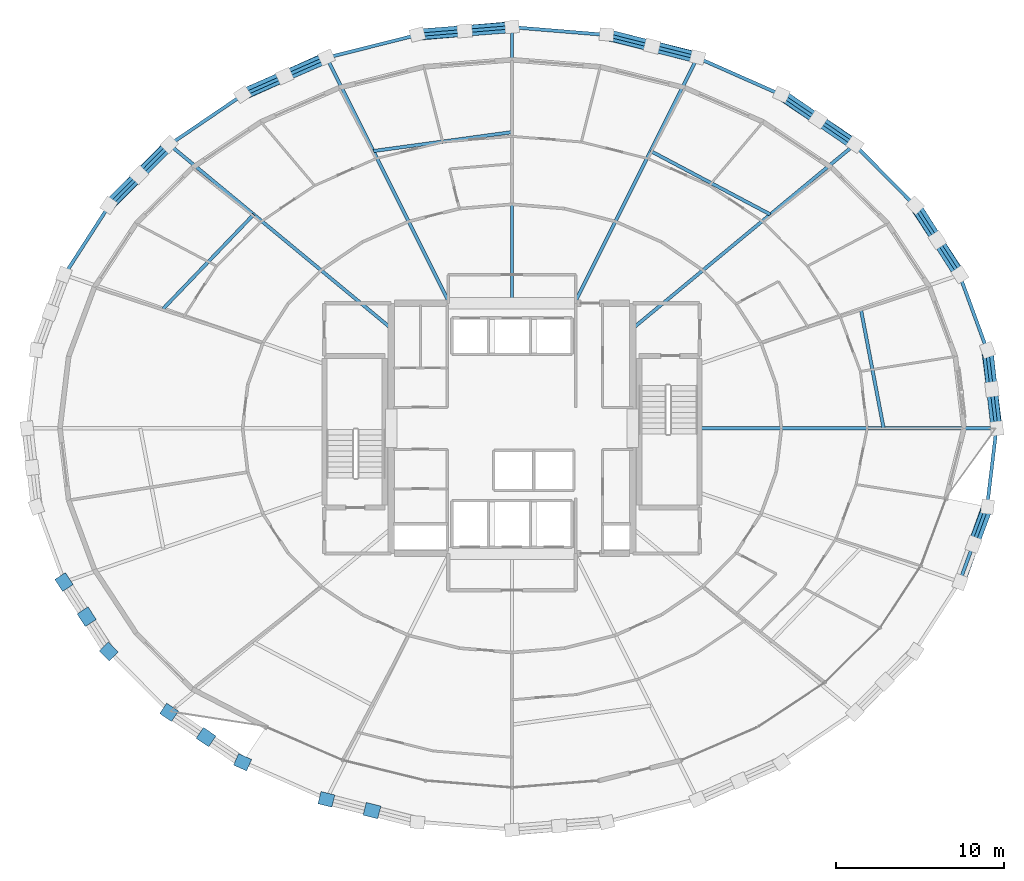
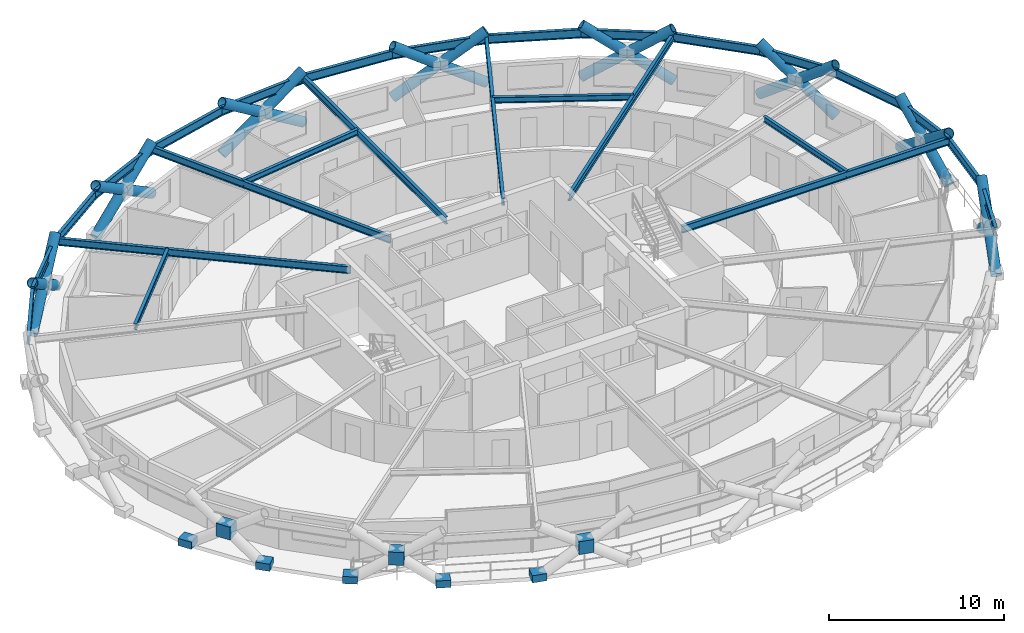
# One storey, part 13 of 23: 26 beams, 23 members, 8 plates.
"""IFC4 building model written with IfcOpenShell, lengths in metres."""

from ifc_helpers import new_model, si_unit, direction, frame, origin, origin_2d, place, context, subcontext, project, spatial, rectangle, hollow_circle, i_section, extrude, material, layer, layer_set, material_profile, profile_set, type_object, element, save


model = new_model("IFC4")

# Units and contexts
model_context = context("Model", 3, precision=1e-05, world=origin(), true_north=direction((0.0, 1.0)))
body_context = subcontext(model_context, "Body", "Model", "MODEL_VIEW")
ifc_project = project(units=[si_unit("LENGTHUNIT", "METRE"), si_unit("AREAUNIT", "SQUARE_METRE"), si_unit("VOLUMEUNIT", "CUBIC_METRE"), si_unit("PLANEANGLEUNIT", "RADIAN"), si_unit("MASSUNIT", "GRAM", prefix="KILO")], contexts=[model_context])

# Site, building, storey
site_placement = place(None, origin())
site = spatial("IfcSite", under=ifc_project, at=site_placement, CompositionType="ELEMENT")
building_placement = place(site_placement, origin())
building = spatial("IfcBuilding", under=site, at=building_placement, Name="Veldorina Hangang Commons", CompositionType="ELEMENT")
storey_placement = place(building_placement, frame((0.0, 0.0, 95.199951171875)))
storey = spatial("IfcBuildingStorey", under=building, at=storey_placement, Name="L24", CompositionType="ELEMENT", Elevation=95.199951171875)

# Beams
ifc_material_1 = material(Name="Steel SM420-TMC", Category="steel")
ifc_material_profile_1 = material_profile(ifc_material_1, i_section(OverallWidth=0.199951171875, OverallDepth=0.5, WebThickness=0.010009765625, FlangeThickness=0.01611328125, FilletRadius=0.01611328125, at=origin_2d()), Name="H-500x200x10x16")
ifc_profile_set_1 = profile_set([ifc_material_profile_1], Name="Steel SM420-TMC")
beam_type_1 = type_object("IfcBeamType", Name="BM-FG500", PredefinedType="BEAM", material=ifc_profile_set_1)
beam_1_placement = place(storey_placement, frame((43.179931640625, 24.0, 3.090087890625), z_axis=(1.0, 0.0, 0.0), x_axis=(0.0, 1.0, 0.0)))
element("IfcBeam", 1, at=beam_1_placement, inside=storey, type_object=beam_type_1, Name="L24 radial floor girder 01", PredefinedType="BEAM", context=body_context, shape_type="SweptSolid", body=[
    extrude(i_section(OverallWidth=0.199951171875, OverallDepth=0.5, WebThickness=0.010009765625, FlangeThickness=0.01611328125, FilletRadius=0.01611328125, at=origin_2d()), origin(), (0.0, 0.0, 1.0), 17.680419921875),
])
beam_2_placement = place(storey_placement, frame((39.199951171875, 29.963134765625, 3.090087890625), z_axis=(0.77016302698, 0.637847091295, 0.0), x_axis=(-0.637847091295, 0.77016302698, 0.0)))
element("IfcBeam", 2, at=beam_2_placement, inside=storey, type_object=beam_type_1, Name="L24 radial floor girder 03", PredefinedType="BEAM", context=body_context, shape_type="SweptSolid", body=[
    extrude(i_section(OverallWidth=0.199951171875, OverallDepth=0.5, WebThickness=0.010009765625, FlangeThickness=0.01611328125, FilletRadius=0.01611328125, at=origin_2d()), origin(), (0.0, 0.0, 1.0), 17.148681640625),
])
beam_3_placement = place(storey_placement, frame((35.72607421875, 31.449951171875, 3.090087890625), z_axis=(0.447297158655, 0.894385404543, 0.0), x_axis=(-0.894385404543, 0.447297158655, 0.0)))
element("IfcBeam", 3, at=beam_3_placement, inside=storey, type_object=beam_type_1, Name="L24 radial floor girder 04", PredefinedType="BEAM", context=body_context, shape_type="SweptSolid", body=[
    extrude(i_section(OverallWidth=0.199951171875, OverallDepth=0.5, WebThickness=0.010009765625, FlangeThickness=0.01611328125, FilletRadius=0.01611328125, at=origin_2d()), origin(), (0.0, 0.0, 1.0), 16.36083984375),
])
beam_4_placement = place(storey_placement, frame((32.0, 31.449951171875, 3.090087890625), z_axis=(0.0, 1.0, 0.0), x_axis=(-1.0, 0.0, 0.0)))
element("IfcBeam", 4, at=beam_4_placement, inside=storey, type_object=beam_type_1, Name="L24 radial floor girder 05", PredefinedType="BEAM", context=body_context, shape_type="SweptSolid", body=[
    extrude(i_section(OverallWidth=0.199951171875, OverallDepth=0.5, WebThickness=0.010009765625, FlangeThickness=0.01611328125, FilletRadius=0.01611328125, at=origin_2d()), origin(), (0.0, 0.0, 1.0), 16.4521484375),
])
beam_5_placement = place(storey_placement, frame((28.27392578125, 31.449951171875, 3.090087890625), z_axis=(-0.447297158655, 0.894385404543, 0.0), x_axis=(-0.894385404543, -0.447297158655, 0.0)))
element("IfcBeam", 5, at=beam_5_placement, inside=storey, type_object=beam_type_1, Name="L24 radial floor girder 06", PredefinedType="BEAM", context=body_context, shape_type="SweptSolid", body=[
    extrude(i_section(OverallWidth=0.199951171875, OverallDepth=0.5, WebThickness=0.010009765625, FlangeThickness=0.01611328125, FilletRadius=0.01611328125, at=origin_2d()), origin(), (0.0, 0.0, 1.0), 16.36083984375),
])
beam_6_placement = place(storey_placement, frame((24.800048828125, 29.963134765625, 3.090087890625), z_axis=(-0.77016302698, 0.637847091295, 0.0), x_axis=(-0.637847091295, -0.77016302698, 0.0)))
element("IfcBeam", 6, at=beam_6_placement, inside=storey, type_object=beam_type_1, Name="L24 radial floor girder 07", PredefinedType="BEAM", context=body_context, shape_type="SweptSolid", body=[
    extrude(i_section(OverallWidth=0.199951171875, OverallDepth=0.5, WebThickness=0.010009765625, FlangeThickness=0.01611328125, FilletRadius=0.01611328125, at=origin_2d()), origin(), (0.0, 0.0, 1.0), 17.148681640625),
])
ifc_material_2 = material(Name="Steel SM355-TMC", Category="steel")
ifc_material_profile_2 = material_profile(ifc_material_2, i_section(OverallWidth=0.199951171875, OverallDepth=0.39990234375, WebThickness=0.008056640625, FlangeThickness=0.012939453125, FilletRadius=0.012939453125, at=origin_2d()), Name="H-400x200x8x13")
ifc_profile_set_2 = profile_set([ifc_material_profile_2], Name="Steel SM355-TMC")
beam_type_2 = type_object("IfcBeamType", Name="BM-JST400", PredefinedType="JOIST", material=ifc_profile_set_2)
beam_7_placement = place(storey_placement, frame((54.141845703125, 24.0, 3.14013671875), z_axis=(-0.187673197187, 0.982231526198, 0.0), x_axis=(-0.982231526198, -0.187673197187, 0.0)))
element("IfcBeam", 7, at=beam_7_placement, inside=storey, type_object=beam_type_2, Name="L24 secondary floor joist 01", PredefinedType="JOIST", context=body_context, shape_type="SweptSolid", body=[
    extrude(i_section(OverallWidth=0.199951171875, OverallDepth=0.39990234375, WebThickness=0.008056640625, FlangeThickness=0.012939453125, FilletRadius=0.012939453125, at=origin_2d()), origin(), (0.0, 0.0, 1.0), 7.257568359375),
])
beam_8_placement = place(storey_placement, frame((47.388427734375, 36.744873046875, 3.14013671875), z_axis=(-0.883523416585, 0.46838698994, 0.0), x_axis=(-0.46838698994, -0.883523416585, 0.0)))
element("IfcBeam", 8, at=beam_8_placement, inside=storey, type_object=beam_type_2, Name="L24 secondary floor joist 03", PredefinedType="JOIST", context=body_context, shape_type="SweptSolid", body=[
    extrude(i_section(OverallWidth=0.199951171875, OverallDepth=0.39990234375, WebThickness=0.008056640625, FlangeThickness=0.012939453125, FilletRadius=0.012939453125, at=origin_2d()), origin(), (0.0, 0.0, 1.0), 8.064697265625),
])
beam_9_placement = place(storey_placement, frame((32.0, 41.650390625, 3.14013671875), z_axis=(-0.990808065694, -0.135275189729, 0.0), x_axis=(0.135275189729, -0.990808065694, 0.0)))
element("IfcBeam", 9, at=beam_9_placement, inside=storey, type_object=beam_type_2, Name="L24 secondary floor joist 05", PredefinedType="JOIST", context=body_context, shape_type="SweptSolid", body=[
    extrude(i_section(OverallWidth=0.199951171875, OverallDepth=0.39990234375, WebThickness=0.008056640625, FlangeThickness=0.012939453125, FilletRadius=0.012939453125, at=origin_2d()), origin(), (0.0, 0.0, 1.0), 8.33984375),
])
beam_10_placement = place(storey_placement, frame((16.611572265625, 36.744873046875, 3.14013671875), z_axis=(-0.692518119583, -0.721400481043, 0.0), x_axis=(0.721400481043, -0.692518119583, 0.0)))
element("IfcBeam", 10, at=beam_10_placement, inside=storey, type_object=beam_type_2, Name="L24 secondary floor joist 07", PredefinedType="JOIST", context=body_context, shape_type="SweptSolid", body=[
    extrude(i_section(OverallWidth=0.199951171875, OverallDepth=0.39990234375, WebThickness=0.008056640625, FlangeThickness=0.012939453125, FilletRadius=0.012939453125, at=origin_2d()), origin(), (0.0, 0.0, 1.0), 7.78515625),
])
ifc_material_profile_3 = material_profile(ifc_material_1, i_section(OverallWidth=0.199951171875, OverallDepth=0.60009765625, WebThickness=0.010986328125, FlangeThickness=0.01708984375, FilletRadius=0.01806640625, at=origin_2d()), Name="H-600x200x11x17")
ifc_profile_set_3 = profile_set([ifc_material_profile_3], Name="Steel SM420-TMC")
beam_type_3 = type_object("IfcBeamType", Name="BM-RB600", PredefinedType="BEAM", material=ifc_profile_set_3)
beam_11_placement = place(storey_placement, frame((60.8603515625, 24.0, 3.0400390625), z_axis=(-0.118068863104, 0.993005409636, 0.0), x_axis=(-0.993005409636, -0.118068863104, 0.0)))
element("IfcBeam", 11, at=beam_11_placement, inside=storey, type_object=beam_type_3, Name="L24 perimeter hoop ring beam 00", PredefinedType="BEAM", context=body_context, shape_type="SweptSolid", body=[
    extrude(i_section(OverallWidth=0.199951171875, OverallDepth=0.60009765625, WebThickness=0.010986328125, FlangeThickness=0.01708984375, FilletRadius=0.01806640625, at=origin_2d()), origin(), (0.0, 0.0, 1.0), 4.696044921875),
])
beam_12_placement = place(storey_placement, frame((60.305908203125, 28.6630859375, 3.0400390625), z_axis=(-0.343975218969, 0.938978726455, 0.0), x_axis=(-0.938978726455, -0.343975218969, 0.0)))
element("IfcBeam", 12, at=beam_12_placement, inside=storey, type_object=beam_type_3, Name="L24 perimeter hoop ring beam 01", PredefinedType="BEAM", context=body_context, shape_type="SweptSolid", body=[
    extrude(i_section(OverallWidth=0.199951171875, OverallDepth=0.60009765625, WebThickness=0.010986328125, FlangeThickness=0.01708984375, FilletRadius=0.01806640625, at=origin_2d()), origin(), (0.0, 0.0, 1.0), 4.775390625),
])
beam_13_placement = place(storey_placement, frame((58.663330078125, 33.14697265625, 3.0400390625), z_axis=(-0.542232020533, 0.840228799738, 0.0), x_axis=(-0.840228799738, -0.542232020533, 0.0)))
element("IfcBeam", 13, at=beam_13_placement, inside=storey, type_object=beam_type_3, Name="L24 perimeter hoop ring beam 02", PredefinedType="BEAM", context=body_context, shape_type="SweptSolid", body=[
    extrude(i_section(OverallWidth=0.199951171875, OverallDepth=0.60009765625, WebThickness=0.010986328125, FlangeThickness=0.01708984375, FilletRadius=0.01806640625, at=origin_2d()), origin(), (0.0, 0.0, 1.0), 4.918212890625),
])
beam_14_placement = place(storey_placement, frame((55.99658203125, 37.279296875, 3.0400390625), z_axis=(-0.703891727572, 0.7103072827, 0.0), x_axis=(-0.7103072827, -0.703891727572, 0.0)))
element("IfcBeam", 14, at=beam_14_placement, inside=storey, type_object=beam_type_3, Name="L24 perimeter hoop ring beam 03", PredefinedType="BEAM", context=body_context, shape_type="SweptSolid", body=[
    extrude(i_section(OverallWidth=0.199951171875, OverallDepth=0.60009765625, WebThickness=0.010986328125, FlangeThickness=0.01708984375, FilletRadius=0.01806640625, at=origin_2d()), origin(), (0.0, 0.0, 1.0), 5.099365234375),
])
beam_15_placement = place(storey_placement, frame((52.4072265625, 40.9013671875, 3.0400390625), z_axis=(-0.827030394099, 0.56215720865, 0.0), x_axis=(-0.56215720865, -0.827030394099, 0.0)))
element("IfcBeam", 15, at=beam_15_placement, inside=storey, type_object=beam_type_3, Name="L24 perimeter hoop ring beam 04", PredefinedType="BEAM", context=body_context, shape_type="SweptSolid", body=[
    extrude(i_section(OverallWidth=0.199951171875, OverallDepth=0.60009765625, WebThickness=0.010986328125, FlangeThickness=0.01708984375, FilletRadius=0.01806640625, at=origin_2d()), origin(), (0.0, 0.0, 1.0), 5.287841796875),
])
beam_16_placement = place(storey_placement, frame((48.033935546875, 43.8740234375, 3.0400390625), z_axis=(-0.914417530265, 0.404772257379, 0.0), x_axis=(-0.404772257379, -0.914417530265, 0.0)))
element("IfcBeam", 16, at=beam_16_placement, inside=storey, type_object=beam_type_3, Name="L24 perimeter hoop ring beam 05", PredefinedType="BEAM", context=body_context, shape_type="SweptSolid", body=[
    extrude(i_section(OverallWidth=0.199951171875, OverallDepth=0.60009765625, WebThickness=0.010986328125, FlangeThickness=0.01708984375, FilletRadius=0.01806640625, at=origin_2d()), origin(), (0.0, 0.0, 1.0), 5.456787109375),
])
beam_17_placement = place(storey_placement, frame((43.044189453125, 46.082763671875, 3.0400390625), z_axis=(-0.969861422199, 0.243657180747, 0.0), x_axis=(-0.243657180747, -0.969861422199, 0.0)))
element("IfcBeam", 17, at=beam_17_placement, inside=storey, type_object=beam_type_3, Name="L24 perimeter hoop ring beam 06", PredefinedType="BEAM", context=body_context, shape_type="SweptSolid", body=[
    extrude(i_section(OverallWidth=0.199951171875, OverallDepth=0.60009765625, WebThickness=0.010986328125, FlangeThickness=0.01708984375, FilletRadius=0.01806640625, at=origin_2d()), origin(), (0.0, 0.0, 1.0), 5.58203125),
])
for number, where, z_axis, x_axis, name in (
    (18, (37.63037109375, 47.44287109375, 3.0400390625), (-0.996690263747, 0.081292792737, 0.0), (-0.081292792737, -0.996690263747, 0.0), "L24 perimeter hoop ring beam 07"),
    (19, (32.0, 47.902099609375, 3.0400390625), (-0.996690263747, -0.081292792737, 0.0), (0.081292792737, -0.996690263747, 0.0), "L24 perimeter hoop ring beam 08"),
):
    element("IfcBeam", number, at=place(storey_placement, frame(where, z_axis=z_axis, x_axis=x_axis)), inside=storey, type_object=beam_type_3, Name=name, PredefinedType="BEAM", context=body_context, shape_type="SweptSolid", body=[
        extrude(i_section(OverallWidth=0.199951171875, OverallDepth=0.60009765625, WebThickness=0.010986328125, FlangeThickness=0.01708984375, FilletRadius=0.01806640625, at=origin_2d()), origin(), (0.0, 0.0, 1.0), 5.649169921875),
    ])
beam_18_placement = place(storey_placement, frame((26.36962890625, 47.44287109375, 3.0400390625), z_axis=(-0.969861422199, -0.243657180747, 0.0), x_axis=(0.243657180747, -0.969861422199, 0.0)))
element("IfcBeam", 20, at=beam_18_placement, inside=storey, type_object=beam_type_3, Name="L24 perimeter hoop ring beam 09", PredefinedType="BEAM", context=body_context, shape_type="SweptSolid", body=[
    extrude(i_section(OverallWidth=0.199951171875, OverallDepth=0.60009765625, WebThickness=0.010986328125, FlangeThickness=0.01708984375, FilletRadius=0.01806640625, at=origin_2d()), origin(), (0.0, 0.0, 1.0), 5.58203125),
])
beam_19_placement = place(storey_placement, frame((20.955810546875, 46.082763671875, 3.0400390625), z_axis=(-0.914417530265, -0.404772257379, 0.0), x_axis=(0.404772257379, -0.914417530265, 0.0)))
element("IfcBeam", 21, at=beam_19_placement, inside=storey, type_object=beam_type_3, Name="L24 perimeter hoop ring beam 10", PredefinedType="BEAM", context=body_context, shape_type="SweptSolid", body=[
    extrude(i_section(OverallWidth=0.199951171875, OverallDepth=0.60009765625, WebThickness=0.010986328125, FlangeThickness=0.01708984375, FilletRadius=0.01806640625, at=origin_2d()), origin(), (0.0, 0.0, 1.0), 5.456787109375),
])
beam_20_placement = place(storey_placement, frame((15.966064453125, 43.8740234375, 3.0400390625), z_axis=(-0.827030394099, -0.56215720865, 0.0), x_axis=(0.56215720865, -0.827030394099, 0.0)))
element("IfcBeam", 22, at=beam_20_placement, inside=storey, type_object=beam_type_3, Name="L24 perimeter hoop ring beam 11", PredefinedType="BEAM", context=body_context, shape_type="SweptSolid", body=[
    extrude(i_section(OverallWidth=0.199951171875, OverallDepth=0.60009765625, WebThickness=0.010986328125, FlangeThickness=0.01708984375, FilletRadius=0.01806640625, at=origin_2d()), origin(), (0.0, 0.0, 1.0), 5.287841796875),
])
beam_21_placement = place(storey_placement, frame((11.5927734375, 40.9013671875, 3.0400390625), z_axis=(-0.703891727572, -0.7103072827, 0.0), x_axis=(0.7103072827, -0.703891727572, 0.0)))
element("IfcBeam", 23, at=beam_21_placement, inside=storey, type_object=beam_type_3, Name="L24 perimeter hoop ring beam 12", PredefinedType="BEAM", context=body_context, shape_type="SweptSolid", body=[
    extrude(i_section(OverallWidth=0.199951171875, OverallDepth=0.60009765625, WebThickness=0.010986328125, FlangeThickness=0.01708984375, FilletRadius=0.01806640625, at=origin_2d()), origin(), (0.0, 0.0, 1.0), 5.099365234375),
])
beam_22_placement = place(storey_placement, frame((8.00341796875, 37.279296875, 3.0400390625), z_axis=(-0.542232020533, -0.840228799738, 0.0), x_axis=(0.840228799738, -0.542232020533, 0.0)))
element("IfcBeam", 24, at=beam_22_placement, inside=storey, type_object=beam_type_3, Name="L24 perimeter hoop ring beam 13", PredefinedType="BEAM", context=body_context, shape_type="SweptSolid", body=[
    extrude(i_section(OverallWidth=0.199951171875, OverallDepth=0.60009765625, WebThickness=0.010986328125, FlangeThickness=0.01708984375, FilletRadius=0.01806640625, at=origin_2d()), origin(), (0.0, 0.0, 1.0), 4.918212890625),
])
beam_23_placement = place(storey_placement, frame((58.663330078125, 14.85302734375, 3.0400390625), z_axis=(0.343975218969, 0.938978726455, 0.0), x_axis=(-0.938978726455, 0.343975218969, 0.0)))
element("IfcBeam", 25, at=beam_23_placement, inside=storey, type_object=beam_type_3, Name="L24 perimeter hoop ring beam 30", PredefinedType="BEAM", context=body_context, shape_type="SweptSolid", body=[
    extrude(i_section(OverallWidth=0.199951171875, OverallDepth=0.60009765625, WebThickness=0.010986328125, FlangeThickness=0.01708984375, FilletRadius=0.01806640625, at=origin_2d()), origin(), (0.0, 0.0, 1.0), 4.775390625),
])
beam_24_placement = place(storey_placement, frame((60.305908203125, 19.3369140625, 3.0400390625), z_axis=(0.118068863104, 0.993005409636, 0.0), x_axis=(-0.993005409636, 0.118068863104, 0.0)))
element("IfcBeam", 26, at=beam_24_placement, inside=storey, type_object=beam_type_3, Name="L24 perimeter hoop ring beam 31", PredefinedType="BEAM", context=body_context, shape_type="SweptSolid", body=[
    extrude(i_section(OverallWidth=0.199951171875, OverallDepth=0.60009765625, WebThickness=0.010986328125, FlangeThickness=0.01708984375, FilletRadius=0.01806640625, at=origin_2d()), origin(), (0.0, 0.0, 1.0), 4.696044921875),
])

# Members
ifc_material_3 = material(Name="Steel SM460-TMC", Category="steel")
ifc_material_profile_4 = material_profile(ifc_material_3, hollow_circle(Radius=0.324951171875, WallThickness=0.031982421875, at=origin_2d()), Name="CHS-650x32")
ifc_profile_set_4 = profile_set([ifc_material_profile_4], Name="Steel SM460-TMC")
member_type = type_object("IfcMemberType", Name="DG-CHS650", PredefinedType="BRACE", material=ifc_profile_set_4)
member_1_placement = place(storey_placement, frame((60.88916015625, 24.0, 0.0), z_axis=(-0.099431951212, 0.787578586603, 0.608139175685), x_axis=(-0.992124466651, -0.125255908734, 0.0)))
element("IfcMember", 27, at=member_1_placement, inside=storey, type_object=member_type, Name="L24 continuous perimeter diagrid brace 00", PredefinedType="BRACE", context=body_context, shape_type="SweptSolid", body=[
    extrude(hollow_circle(Radius=0.324951171875, WallThickness=0.031982421875, at=origin_2d()), origin(), (0.0, 0.0, 1.0), 5.919921875),
])
member_2_placement = place(storey_placement, frame((60.333984375, 28.6669921875, 0.0), z_axis=(0.088089373499, -0.788680327148, 0.608460026498), x_axis=(0.993820196411, 0.11100187929, 0.0)))
element("IfcMember", 28, at=member_2_placement, inside=storey, type_object=member_type, Name="L24 split perimeter diagrid lower brace 01", PredefinedType="BRACE", context=body_context, shape_type="SweptSolid", body=[
    extrude(hollow_circle(Radius=0.324951171875, WallThickness=0.031982421875, at=origin_2d()), origin(), (0.0, 0.0, 1.0), 2.9599609375),
])
member_3_placement = place(storey_placement, frame((60.5947265625, 26.33251953125, 1.801025390625), z_axis=(0.088006823259, -0.788759089507, 0.608369869225), x_axis=(0.99383288697, 0.110888199446, 0.0)))
element("IfcMember", 29, at=member_3_placement, inside=storey, type_object=member_type, Name="L24 split perimeter diagrid upper brace 01", PredefinedType="BRACE", context=body_context, shape_type="SweptSolid", body=[
    extrude(hollow_circle(Radius=0.324951171875, WallThickness=0.031982421875, at=origin_2d()), origin(), (0.0, 0.0, 1.0), 2.957275390625),
])
member_4_placement = place(storey_placement, frame((58.68994140625, 33.15478515625, 0.0), z_axis=(-0.442111775742, 0.675610809519, 0.589989162452), x_axis=(-0.836761788065, -0.547567082679, 0.0)))
element("IfcMember", 30, at=member_4_placement, inside=storey, type_object=member_type, Name="L24 continuous perimeter diagrid brace 02", PredefinedType="BRACE", context=body_context, shape_type="SweptSolid", body=[
    extrude(hollow_circle(Radius=0.324951171875, WallThickness=0.031982421875, at=origin_2d()), origin(), (0.0, 0.0, 1.0), 6.10205078125),
])
member_5_placement = place(storey_placement, frame((56.0205078125, 37.29052734375, 0.0), z_axis=(0.433137462482, -0.680472894721, 0.591057169946), x_axis=(0.843600132036, 0.536971896125, 0.0)))
element("IfcMember", 31, at=member_5_placement, inside=storey, type_object=member_type, Name="L24 split perimeter diagrid lower brace 03", PredefinedType="BRACE", context=body_context, shape_type="SweptSolid", body=[
    extrude(hollow_circle(Radius=0.324951171875, WallThickness=0.031982421875, at=origin_2d()), origin(), (0.0, 0.0, 1.0), 3.047119140625),
])
member_6_placement = place(storey_placement, frame((57.34033203125, 35.217041015625, 1.801025390625), z_axis=(0.433034733141, -0.680551900483, 0.591041479629), x_axis=(0.843686052563, 0.536836888366, 0.0)))
element("IfcMember", 32, at=member_6_placement, inside=storey, type_object=member_type, Name="L24 split perimeter diagrid upper brace 03", PredefinedType="BRACE", context=body_context, shape_type="SweptSolid", body=[
    extrude(hollow_circle(Radius=0.324951171875, WallThickness=0.031982421875, at=origin_2d()), origin(), (0.0, 0.0, 1.0), 3.0439453125),
])
member_7_placement = place(storey_placement, frame((52.427734375, 40.915771484375, 0.0), z_axis=(-0.686449305906, 0.46136833798, 0.562073489083), x_axis=(-0.557823026661, -0.829959921277, 0.0)))
element("IfcMember", 33, at=member_7_placement, inside=storey, type_object=member_type, Name="L24 continuous perimeter diagrid brace 04", PredefinedType="BRACE", context=body_context, shape_type="SweptSolid", body=[
    extrude(hollow_circle(Radius=0.324951171875, WallThickness=0.031982421875, at=origin_2d()), origin(), (0.0, 0.0, 1.0), 6.405029296875),
])
member_8_placement = place(storey_placement, frame((48.0498046875, 43.890625, 0.0), z_axis=(0.68109030694, -0.467953775111, 0.56314763442), x_axis=(0.566285720349, 0.824209004397, 0.0)))
element("IfcMember", 34, at=member_8_placement, inside=storey, type_object=member_type, Name="L24 split perimeter diagrid lower brace 05", PredefinedType="BRACE", context=body_context, shape_type="SweptSolid", body=[
    extrude(hollow_circle(Radius=0.324951171875, WallThickness=0.031982421875, at=origin_2d()), origin(), (0.0, 0.0, 1.0), 3.1982421875),
])
member_9_placement = place(storey_placement, frame((50.22802734375, 42.39404296875, 1.801025390625), z_axis=(0.680995898124, -0.468084376165, 0.563153268239), x_axis=(0.566446396629, 0.824098586181, 0.0)))
element("IfcMember", 35, at=member_9_placement, inside=storey, type_object=member_type, Name="L24 split perimeter diagrid upper brace 05", PredefinedType="BRACE", context=body_context, shape_type="SweptSolid", body=[
    extrude(hollow_circle(Radius=0.324951171875, WallThickness=0.031982421875, at=origin_2d()), origin(), (0.0, 0.0, 1.0), 3.194580078125),
])
member_10_placement = place(storey_placement, frame((43.055419921875, 46.101318359375, 0.0), z_axis=(-0.816221439818, 0.201255050178, 0.541552366774), x_axis=(-0.239399246107, -0.970921212542, 0.0)))
element("IfcMember", 36, at=member_10_placement, inside=storey, type_object=member_type, Name="L24 continuous perimeter diagrid brace 06", PredefinedType="BRACE", context=body_context, shape_type="SweptSolid", body=[
    extrude(hollow_circle(Radius=0.324951171875, WallThickness=0.031982421875, at=origin_2d()), origin(), (0.0, 0.0, 1.0), 6.647705078125),
])
member_11_placement = place(storey_placement, frame((37.635986328125, 47.462646484375, 0.0), z_axis=(0.814080867469, -0.208241283366, 0.542132741239), x_axis=(0.247819889032, 0.968806122297, 0.0)))
element("IfcMember", 37, at=member_11_placement, inside=storey, type_object=member_type, Name="L24 split perimeter diagrid lower brace 07", PredefinedType="BRACE", context=body_context, shape_type="SweptSolid", body=[
    extrude(hollow_circle(Radius=0.324951171875, WallThickness=0.031982421875, at=origin_2d()), origin(), (0.0, 0.0, 1.0), 3.322509765625),
])
member_12_placement = place(storey_placement, frame((40.3408203125, 46.770751953125, 1.80126953125), z_axis=(0.814083114978, -0.208358190837, 0.542084445653), x_axis=(0.247949822435, 0.968772876145, 0.0)))
element("IfcMember", 38, at=member_12_placement, inside=storey, type_object=member_type, Name="L24 split perimeter diagrid upper brace 07", PredefinedType="BRACE", context=body_context, shape_type="SweptSolid", body=[
    extrude(hollow_circle(Radius=0.324951171875, WallThickness=0.031982421875, at=origin_2d()), origin(), (0.0, 0.0, 1.0), 3.318359375),
])
member_13_placement = place(storey_placement, frame((32.0, 47.92236328125, 0.0), z_axis=(-0.840262199057, -0.072117221439, 0.537362580766), x_axis=(0.085512667533, -0.996337083367, 0.0)))
element("IfcMember", 39, at=member_13_placement, inside=storey, type_object=member_type, Name="L24 continuous perimeter diagrid brace 08", PredefinedType="BRACE", context=body_context, shape_type="SweptSolid", body=[
    extrude(hollow_circle(Radius=0.324951171875, WallThickness=0.031982421875, at=origin_2d()), origin(), (0.0, 0.0, 1.0), 6.699462890625),
])
member_14_placement = place(storey_placement, frame((26.364013671875, 47.462646484375, 0.0), z_axis=(0.840930351134, 0.065023015288, 0.537222627991), x_axis=(-0.077092594696, 0.997023937447, 0.0)))
element("IfcMember", 40, at=member_14_placement, inside=storey, type_object=member_type, Name="L24 split perimeter diagrid lower brace 09", PredefinedType="BRACE", context=body_context, shape_type="SweptSolid", body=[
    extrude(hollow_circle(Radius=0.324951171875, WallThickness=0.031982421875, at=origin_2d()), origin(), (0.0, 0.0, 1.0), 3.35302734375),
])
member_15_placement = place(storey_placement, frame((29.18359375, 47.6806640625, 1.80126953125), z_axis=(0.840986150697, 0.065027708601, 0.537134705126), x_axis=(-0.077093041038, 0.997023902935, 0.0)))
element("IfcMember", 41, at=member_15_placement, inside=storey, type_object=member_type, Name="L24 split perimeter diagrid upper brace 09", PredefinedType="BRACE", context=body_context, shape_type="SweptSolid", body=[
    extrude(hollow_circle(Radius=0.324951171875, WallThickness=0.031982421875, at=origin_2d()), origin(), (0.0, 0.0, 1.0), 3.348876953125),
])
member_16_placement = place(storey_placement, frame((20.944580078125, 46.101318359375, 0.0), z_axis=(-0.761500550131, -0.341367469382, 0.550985628667), x_axis=(0.40906104652, -0.912507019272, 0.0)))
element("IfcMember", 42, at=member_16_placement, inside=storey, type_object=member_type, Name="L24 continuous perimeter diagrid brace 10", PredefinedType="BRACE", context=body_context, shape_type="SweptSolid", body=[
    extrude(hollow_circle(Radius=0.324951171875, WallThickness=0.031982421875, at=origin_2d()), origin(), (0.0, 0.0, 1.0), 6.533935546875),
])
member_17_placement = place(storey_placement, frame((15.9501953125, 43.890625, 0.0), z_axis=(0.76518508232, 0.334456202534, 0.550118931125), x_axis=(-0.400504947309, 0.916294596285, 0.0)))
element("IfcMember", 43, at=member_17_placement, inside=storey, type_object=member_type, Name="L24 split perimeter diagrid lower brace 11", PredefinedType="BRACE", context=body_context, shape_type="SweptSolid", body=[
    extrude(hollow_circle(Radius=0.324951171875, WallThickness=0.031982421875, at=origin_2d()), origin(), (0.0, 0.0, 1.0), 3.27392578125),
])
member_18_placement = place(storey_placement, frame((18.455322265625, 44.985595703125, 1.801025390625), z_axis=(0.765191632082, 0.334444732851, 0.550116793835), x_axis=(-0.400490537357, 0.916300894623, 0.0)))
element("IfcMember", 44, at=member_18_placement, inside=storey, type_object=member_type, Name="L24 split perimeter diagrid upper brace 11", PredefinedType="BRACE", context=body_context, shape_type="SweptSolid", body=[
    extrude(hollow_circle(Radius=0.324951171875, WallThickness=0.031982421875, at=origin_2d()), origin(), (0.0, 0.0, 1.0), 3.270263671875),
])
member_19_placement = place(storey_placement, frame((11.572265625, 40.915771484375, 0.0), z_axis=(-0.57147171997, -0.583331715254, 0.57718643717), x_axis=(0.714331196912, -0.699807788695, 0.0)))
element("IfcMember", 45, at=member_19_placement, inside=storey, type_object=member_type, Name="L24 continuous perimeter diagrid brace 12", PredefinedType="BRACE", context=body_context, shape_type="SweptSolid", body=[
    extrude(hollow_circle(Radius=0.324951171875, WallThickness=0.031982421875, at=origin_2d()), origin(), (0.0, 0.0, 1.0), 6.2373046875),
])
member_20_placement = place(storey_placement, frame((7.9794921875, 37.29052734375, 0.0), z_axis=(0.578754690999, 0.57727110504, 0.576021769495), x_axis=(-0.706198733994, 0.708013663785, 0.0)))
element("IfcMember", 46, at=member_20_placement, inside=storey, type_object=member_type, Name="L24 split perimeter diagrid lower brace 13", PredefinedType="BRACE", context=body_context, shape_type="SweptSolid", body=[
    extrude(hollow_circle(Radius=0.324951171875, WallThickness=0.031982421875, at=origin_2d()), origin(), (0.0, 0.0, 1.0), 3.126708984375),
])
member_21_placement = place(storey_placement, frame((9.7890625, 39.095458984375, 1.801025390625), z_axis=(0.578678106593, 0.577349249669, 0.576020392744), x_axis=(-0.706293493181, 0.707919134852, 0.0)))
element("IfcMember", 47, at=member_21_placement, inside=storey, type_object=member_type, Name="L24 split perimeter diagrid upper brace 13", PredefinedType="BRACE", context=body_context, shape_type="SweptSolid", body=[
    extrude(hollow_circle(Radius=0.324951171875, WallThickness=0.031982421875, at=origin_2d()), origin(), (0.0, 0.0, 1.0), 3.123291015625),
])
member_22_placement = place(storey_placement, frame((58.68994140625, 14.84521484375, 0.0), z_axis=(0.269419814945, 0.751492195664, 0.602222918171), x_axis=(-0.941332658397, 0.337480112355, 0.0)))
element("IfcMember", 48, at=member_22_placement, inside=storey, type_object=member_type, Name="L24 continuous perimeter diagrid brace 30", PredefinedType="BRACE", context=body_context, shape_type="SweptSolid", body=[
    extrude(hollow_circle(Radius=0.324951171875, WallThickness=0.031982421875, at=origin_2d()), origin(), (0.0, 0.0, 1.0), 5.97802734375),
])
member_23_placement = place(storey_placement, frame((60.333984375, 19.3330078125, 0.0), z_axis=(-0.279984075918, -0.748227683372, 0.601468412361), x_axis=(0.936576398138, -0.350463479482, 0.0)))
element("IfcMember", 49, at=member_23_placement, inside=storey, type_object=member_type, Name="L24 split perimeter diagrid lower brace 31", PredefinedType="BRACE", context=body_context, shape_type="SweptSolid", body=[
    extrude(hollow_circle(Radius=0.324951171875, WallThickness=0.031982421875, at=origin_2d()), origin(), (0.0, 0.0, 1.0), 2.994384765625),
])

# Plates
ifc_layer = layer(ifc_material_3, 0.035888671875)
ifc_layer_set = layer_set([ifc_layer], Name="Steel SM460-TMC")
plate_type = type_object("IfcPlateType", Name="PL-STAR-36", PredefinedType="USERDEFINED", material=ifc_layer_set)
plate_1_placement = place(storey_placement, frame((5.31005859375, 14.84521484375, -0.08984375), z_axis=(0.0, 0.0, 1.0), x_axis=(0.542309568385, -0.840178750052, 0.0)))
element("IfcPlate", 50, at=plate_1_placement, inside=storey, type_object=plate_type, Name="L24 diagrid star-node gusset plate 18", ObjectType="GUSSET PLATE", PredefinedType="USERDEFINED", context=body_context, shape_type="SweptSolid", body=[
    extrude(rectangle(XDim=0.85009765625, YDim=0.75, at=origin_2d()), origin(), (0.0, 0.0, 1.0), 0.5),
])
plate_2_placement = place(storey_placement, frame((6.65966796875, 12.782958984375, 1.35107421875), z_axis=(0.0, 0.0, 1.0), x_axis=(0.542309568385, -0.840178750052, 0.0)))
element("IfcPlate", 51, at=plate_2_placement, inside=storey, type_object=plate_type, Name="L24 diagrid X-crossing star-node gusset plate 18", ObjectType="GUSSET PLATE", PredefinedType="USERDEFINED", context=body_context, shape_type="SweptSolid", body=[
    extrude(rectangle(XDim=0.89990234375, YDim=0.780029296875, at=origin_2d()), origin(), (0.0, 0.0, 1.0), 0.89990234375),
])
for number, where, z_axis, x_axis, name in (
    (52, (7.9794921875, 10.70947265625, -0.08984375), (0.0, 0.0, 1.0), (0.70392795369, -0.710271381947, 0.0), "L24 diagrid star-node gusset plate 19"),
    (53, (11.572265625, 7.084228515625, -0.08984375), (0.0, 0.0, 1.0), (0.827090384354, -0.562068942487, 0.0), "L24 diagrid star-node gusset plate 20"),
):
    element("IfcPlate", number, at=place(storey_placement, frame(where, z_axis=z_axis, x_axis=x_axis)), inside=storey, type_object=plate_type, Name=name, ObjectType="GUSSET PLATE", PredefinedType="USERDEFINED", context=body_context, shape_type="SweptSolid", body=[
        extrude(rectangle(XDim=0.85009765625, YDim=0.75, at=origin_2d()), origin(), (0.0, 0.0, 1.0), 0.5),
    ])
plate_3_placement = place(storey_placement, frame((13.77197265625, 5.60595703125, 1.35107421875), z_axis=(0.0, 0.0, 1.0), x_axis=(0.827090384354, -0.562068942487, 0.0)))
element("IfcPlate", 54, at=plate_3_placement, inside=storey, type_object=plate_type, Name="L24 diagrid X-crossing star-node gusset plate 20", ObjectType="GUSSET PLATE", PredefinedType="USERDEFINED", context=body_context, shape_type="SweptSolid", body=[
    extrude(rectangle(XDim=0.89990234375, YDim=0.780029296875, at=origin_2d()), origin(), (0.0, 0.0, 1.0), 0.89990234375),
])
for number, where, z_axis, x_axis, name in (
    (55, (15.9501953125, 4.109375, -0.08984375), (0.0, 0.0, 1.0), (0.914430644564, -0.404742629683, 0.0), "L24 diagrid star-node gusset plate 21"),
    (56, (20.944580078125, 1.898681640625, -0.08984375), (0.0, 0.0, 1.0), (0.969872015285, -0.243615011786, 0.0), "L24 diagrid star-node gusset plate 22"),
):
    element("IfcPlate", number, at=place(storey_placement, frame(where, z_axis=z_axis, x_axis=x_axis)), inside=storey, type_object=plate_type, Name=name, ObjectType="GUSSET PLATE", PredefinedType="USERDEFINED", context=body_context, shape_type="SweptSolid", body=[
        extrude(rectangle(XDim=0.85009765625, YDim=0.75, at=origin_2d()), origin(), (0.0, 0.0, 1.0), 0.5),
    ])
plate_4_placement = place(storey_placement, frame((23.6591796875, 1.229248046875, 1.351318359375), z_axis=(0.0, 0.0, 1.0), x_axis=(0.969872015285, -0.243615011786, 0.0)))
element("IfcPlate", 57, at=plate_4_placement, inside=storey, type_object=plate_type, Name="L24 diagrid X-crossing star-node gusset plate 22", ObjectType="GUSSET PLATE", PredefinedType="USERDEFINED", context=body_context, shape_type="SweptSolid", body=[
    extrude(rectangle(XDim=0.89990234375, YDim=0.780029296875, at=origin_2d()), origin(), (0.0, 0.0, 1.0), 0.89990234375),
])

save(model, "model.ifc")
